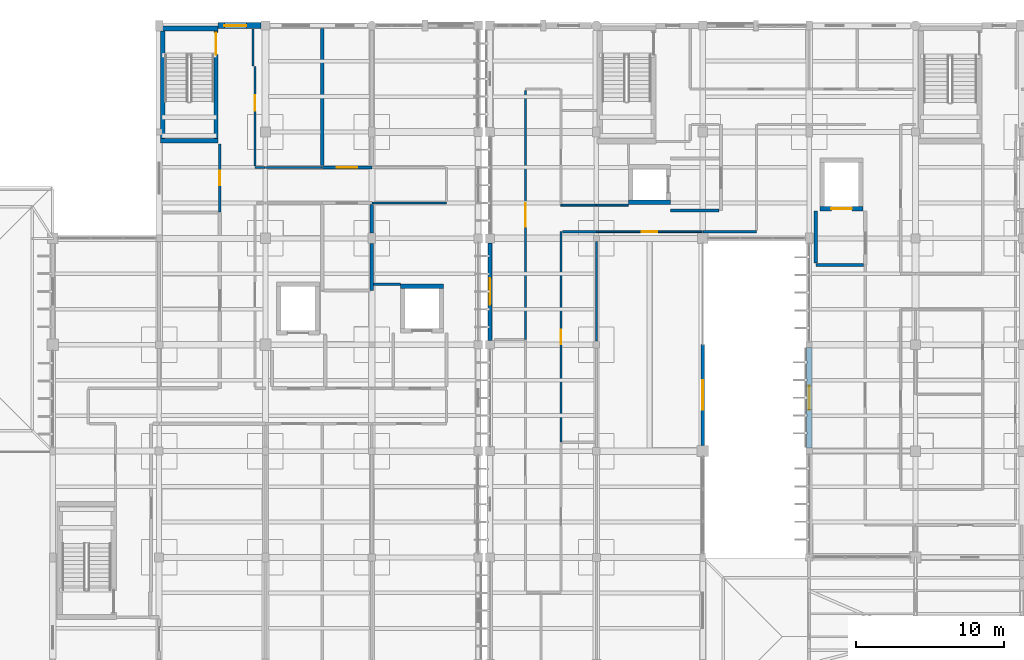
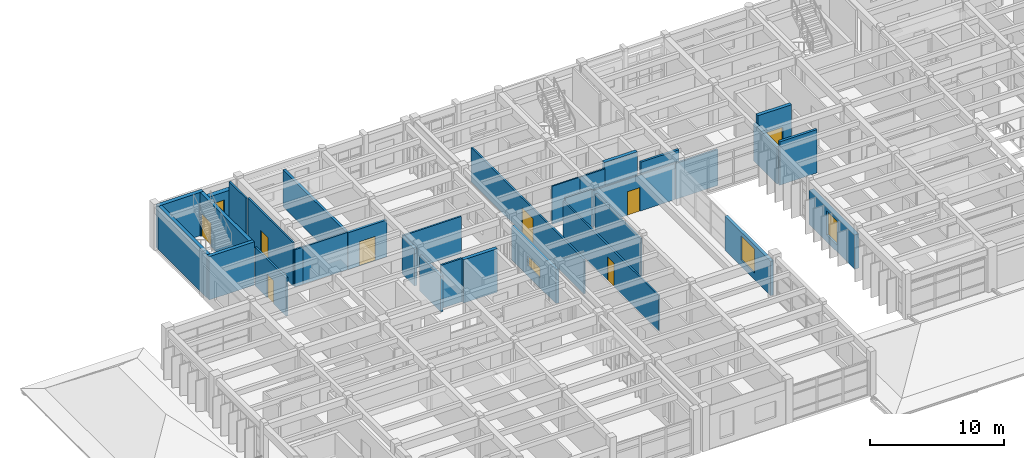
# One storey, part 74 of 100: 33 walls, 8 doors, 4 windows, 12 openings.
"""IFC4 building model written with IfcOpenShell, lengths in metres."""

import ifcopenshell
import ifcopenshell.guid

model = None  # the IFC model being written
_history = None  # IfcOwnerHistory: only IFC2X3 demands one
_inside = {}  # id of a spatial element -> (the spatial element, [elements in it])
_under = {}  # id of a project, library or spatial element -> (it, [spatial elements below it])
_declared = {}  # id of a project -> (the project, [libraries it declares])
_typed = {}  # id of a type object -> (the type object, [elements of that type])
_made_of = {}  # id of a material, layer set ... -> (it, [elements and type objects made of it])


def new_model(schema):
    """Start an empty IFC model of exactly this schema.

    Asked for "IFC4X3", IfcOpenShell would pick the latest addendum, in which some entities
    have other attributes; the version numbers below select the first issue.
    IFC2X3 requires an IfcOwnerHistory on every rooted entity: one is made here for all.
    """
    global model, _history
    if schema == "IFC4X3":
        model = ifcopenshell.file(schema_version=(4, 3, 0, 0))
    else:
        model = ifcopenshell.file(schema=schema)
    _inside.clear()
    _under.clear()
    _declared.clear()
    _typed.clear()
    _made_of.clear()
    _history = None
    if model.schema == "IFC2X3":
        org = make("IfcOrganization", Name="unknown")
        user = make(
            "IfcPersonAndOrganization",
            ThePerson=make("IfcPerson", FamilyName="unknown"),
            TheOrganization=org,
        )
        app = make(
            "IfcApplication",
            ApplicationDeveloper=org,
            Version="unknown",
            ApplicationFullName="unknown",
            ApplicationIdentifier="unknown",
        )
        _history = make(
            "IfcOwnerHistory",
            OwningUser=user,
            OwningApplication=app,
            ChangeAction="ADDED",
            CreationDate=0,
        )
    return model


def make(cls, **values):
    """One entity of the class cls with the attributes given. An attribute that is None is left unset."""
    return model.create_entity(
        cls, **{name: value for name, value in values.items() if value is not None}
    )


def rooted(cls, **values):
    """An entity with a GlobalId (a new one), such as an element, a storey or a relation."""
    return make(cls, GlobalId=ifcopenshell.guid.new(), OwnerHistory=_history, **values)


def si_unit(unit_type, name, prefix=None):
    """IfcSIUnit, for example si_unit("LENGTHUNIT", "METRE", prefix="MILLI")."""
    return make("IfcSIUnit", UnitType=unit_type, Prefix=prefix, Name=name)


def assignment(units):
    """IfcUnitAssignment: the units of a project."""
    return None if units is None else make("IfcUnitAssignment", Units=units)


def point(xyz):
    """IfcCartesianPoint."""
    return None if xyz is None else make("IfcCartesianPoint", Coordinates=xyz)


def direction(xyz):
    """IfcDirection."""
    return None if xyz is None else make("IfcDirection", DirectionRatios=xyz)


def frame(location, z_axis=None, x_axis=None):
    """IfcAxis2Placement3D, a coordinate frame: its origin and axes. An axis left out is left unset."""
    return make(
        "IfcAxis2Placement3D",
        Location=point(location),
        Axis=direction(z_axis),
        RefDirection=direction(x_axis),
    )


def frame_2d(location, x_axis=None):
    """IfcAxis2Placement2D, a coordinate frame in the plane: its origin and x axis."""
    return make(
        "IfcAxis2Placement2D", Location=point(location), RefDirection=direction(x_axis)
    )


def origin():
    """The frame at (0, 0, 0) with its axes left unset."""
    return frame((0.0, 0.0, 0.0))


def place(relative_to, where):
    """IfcLocalPlacement: puts the frame where relative to a parent placement (None: the world)."""
    return make(
        "IfcLocalPlacement", PlacementRelTo=relative_to, RelativePlacement=where
    )


def context(
    kind, dimensions, precision=None, world=None, true_north=None, identifier=None
):
    """IfcGeometricRepresentationContext, for example the 3D "Model" context."""
    return make(
        "IfcGeometricRepresentationContext",
        ContextIdentifier=identifier,
        ContextType=kind,
        CoordinateSpaceDimension=dimensions,
        Precision=precision,
        WorldCoordinateSystem=world,
        TrueNorth=true_north,
    )


def subcontext(parent, identifier, kind, view, scale=None):
    """IfcGeometricRepresentationSubContext, for example "Body" below "Model"."""
    return make(
        "IfcGeometricRepresentationSubContext",
        ContextIdentifier=identifier,
        ContextType=kind,
        ParentContext=parent,
        TargetScale=scale,
        TargetView=view,
    )


def project(units=None, contexts=None):
    """IfcProject with its units and contexts."""
    return rooted(
        "IfcProject",
        Name="project",
        RepresentationContexts=contexts,
        UnitsInContext=assignment(units),
    )


def spatial(cls, under=None, at=None, **own):
    """A site, building, storey or space (cls), placed at a placement, below another one or the project."""
    s = rooted(cls, ObjectPlacement=at, **own)
    if under is not None:
        _under.setdefault(under.id(), (under, []))[1].append(s)
    return s


def profile(cls, at=None, kind="AREA", **sizes):
    """A parametric profile (cls). Its sizes go by their IFC names, for example OverallWidth=200.0."""
    return make(cls, ProfileType=kind, Position=at, **sizes)


def rectangle(**sizes):
    """IfcRectangleProfileDef."""
    return profile("IfcRectangleProfileDef", **sizes)


def extrude(swept, where, along, depth):
    """IfcExtrudedAreaSolid: the profile swept, set in the frame where, extruded along a direction by depth."""
    return make(
        "IfcExtrudedAreaSolid",
        SweptArea=swept,
        Position=where,
        ExtrudedDirection=direction(along),
        Depth=depth,
    )


def shape(context_of_items, identifier, shape_type, items):
    """IfcShapeRepresentation: the items that make up one representation, for example the "Body"."""
    return make(
        "IfcShapeRepresentation",
        ContextOfItems=context_of_items,
        RepresentationIdentifier=identifier,
        RepresentationType=shape_type,
        Items=items,
    )


def material(Name=None, Category=None):
    """IfcMaterial."""
    return make("IfcMaterial", Name=Name, Category=Category)


def layer(
    of_material, thickness, ventilated=None, Name=None, Category=None, Priority=None
):
    """IfcMaterialLayer: one layer of a wall or slab, of a material (None: an air gap)."""
    return make(
        "IfcMaterialLayer",
        Material=of_material,
        LayerThickness=thickness,
        IsVentilated=ventilated,
        Name=Name,
        Category=Category,
        Priority=Priority,
    )


def layer_set(layers, Name=None):
    """IfcMaterialLayerSet."""
    return make("IfcMaterialLayerSet", MaterialLayers=layers, LayerSetName=Name)


def made_of(thing, what):
    """Note that an element or type object is made of a material, layer set ...; save() writes the relation."""
    if what is not None:
        _made_of.setdefault(what.id(), (what, []))[1].append(thing)
    return thing


def type_object(cls, material=None, **own):
    """A type object (cls), such as IfcWallType, which elements share."""
    return made_of(rooted(cls, **own), material)


def element(
    cls,
    number,
    at=None,
    inside=None,
    cuts=None,
    type_object=None,
    material=None,
    context=None,
    identifier="Body",
    shape_type=None,
    held_by="IfcProductDefinitionShape",
    body=None,
    shapes=None,
    **own,
):
    """One element of the class cls, such as IfcWall. Its Tag is "e" and its number.

    at: its placement. inside: the storey or other place that contains it. cuts: it is an
    opening in that element (IfcRelVoidsElement). A single representation is given by context,
    identifier, shape_type and body (its items); several are given by shapes. held_by: the class
    of the entity that holds the representations. save() writes the other relations.
    """
    e = rooted(cls, Tag="e%d" % number, ObjectPlacement=at, **own)
    if body is not None:
        shapes = [shape(context, identifier, shape_type, body)]
    if shapes is not None:
        e.Representation = make(held_by, Representations=shapes)
    if inside is not None:
        _inside.setdefault(inside.id(), (inside, []))[1].append(e)
    if cuts is not None:
        rooted(
            "IfcRelVoidsElement", RelatingBuildingElement=cuts, RelatedOpeningElement=e
        )
    if type_object is not None:
        _typed.setdefault(type_object.id(), (type_object, []))[1].append(e)
    return made_of(e, material)


def fill(opening, filler):
    """IfcRelFillsElement: the door or window that sits in an opening."""
    return rooted(
        "IfcRelFillsElement",
        RelatingOpeningElement=opening,
        RelatedBuildingElement=filler,
    )


def aggregate(whole, parts):
    """IfcRelAggregates: a whole, such as a stair, and the parts it consists of."""
    return rooted("IfcRelAggregates", RelatingObject=whole, RelatedObjects=parts)


def save(model, path):
    """Write the relations noted so far, then the file.

    IfcRelAggregates (storeys below a building ...), IfcRelContainedInSpatialStructure (elements
    in a storey), IfcRelDefinesByType, IfcRelAssociatesMaterial and IfcRelDeclares: one each for
    every whole, place, type object, material and project.
    """
    for whole, parts in _under.values():
        aggregate(whole, parts)
    for where, things in _inside.values():
        rooted(
            "IfcRelContainedInSpatialStructure",
            RelatedElements=things,
            RelatingStructure=where,
        )
    for kind, things in _typed.values():
        rooted("IfcRelDefinesByType", RelatedObjects=things, RelatingType=kind)
    for what, things in _made_of.values():
        rooted("IfcRelAssociatesMaterial", RelatedObjects=things, RelatingMaterial=what)
    for by, libraries in _declared.values():
        rooted("IfcRelDeclares", RelatingContext=by, RelatedDefinitions=libraries)
    model.write(path)


model = new_model("IFC4")

# Units and contexts
model_context = context("Model", 3, precision=1e-05, world=origin(), true_north=direction((0.0, 1.0)))
body_context = subcontext(model_context, "Body", "Model", "MODEL_VIEW")
ifc_project = project(units=[si_unit("LENGTHUNIT", "METRE"), si_unit("AREAUNIT", "SQUARE_METRE"), si_unit("VOLUMEUNIT", "CUBIC_METRE"), si_unit("PLANEANGLEUNIT", "RADIAN"), si_unit("MASSUNIT", "GRAM", prefix="KILO")], contexts=[model_context])

# Site, building, storey
site_placement = place(None, origin())
site = spatial("IfcSite", under=ifc_project, at=site_placement, CompositionType="ELEMENT")
building_placement = place(site_placement, origin())
building = spatial("IfcBuilding", under=site, at=building_placement, Name="Steenspoor Specialist Clinic", CompositionType="ELEMENT")
storey_placement = place(building_placement, frame((0.0, 0.0, 9.0)))
storey = spatial("IfcBuildingStorey", under=building, at=storey_placement, Name="L02", CompositionType="ELEMENT", Elevation=9.0)

# Wall, opening, window
ifc_material_1 = material(Name="Extruded clay brick masonry", Category="masonry")
ifc_layer_1 = layer(ifc_material_1, 0.3798828125)
ifc_layer_set_1 = layer_set([ifc_layer_1], Name="Extruded clay brick masonry")
wall_type_1 = type_object("IfcWallType", Name="W-BRICK-380", PredefinedType="USERDEFINED", material=ifc_layer_set_1)
wall_1_placement = place(storey_placement, frame((74.0, 79.77490234375, 0.0), z_axis=(0.0, 0.0, 1.0), x_axis=(0.0, 1.0, 0.0)))
wall_1 = element("IfcWall", 1, at=wall_1_placement, inside=storey, type_object=wall_type_1, Name="Exterior Brick Wall EW-V4-L02-0156", ObjectType="CAVITY VENEER", PredefinedType="USERDEFINED", context=body_context, shape_type="SweptSolid", body=[
    extrude(rectangle(XDim=6.775146484375, YDim=0.3798828125, at=frame_2d((3.3876953125, 0.0))), origin(), (0.0, 0.0, 1.0), 3.1298828125),
])
opening_1_placement = place(wall_1_placement, frame((2.58740234375, 0.0, 0.60009765625)))
opening_1 = element("IfcOpeningElement", 2, at=opening_1_placement, cuts=wall_1, Name="Opening WN-16", PredefinedType="OPENING", context=body_context, shape_type="SweptSolid", body=[
    extrude(rectangle(XDim=1.60009765625, YDim=2.199951171875, at=frame_2d((0.800048828125, 1.10009765625))), frame((0.0, 0.199951171875, 0.0), z_axis=(0.0, -1.0, 0.0), x_axis=(1.0, 0.0, 0.0)), (0.0, 0.0, 1.0), 0.39990234375),
])
ifc_material_2 = material(Name="Thermally broken aluminium and low-emissivity glass", Category="aluminium")
window_type_1 = type_object("IfcWindowType", Name="WN-EXT-160X220", PartitioningType="SINGLE_PANEL", PredefinedType="WINDOW", material=ifc_material_2)
window_1_placement = place(opening_1_placement, origin())
window_1 = element("IfcWindow", 3, at=window_1_placement, inside=storey, type_object=window_type_1, Name="Window 0182", OverallHeight=2.199951171875, OverallWidth=1.60009765625, PartitioningType="SINGLE_PANEL", PredefinedType="WINDOW", context=body_context, shape_type="SweptSolid", body=[
    extrude(rectangle(XDim=1.60009765625, YDim=2.199951171875, at=frame_2d((0.800048828125, 1.10009765625))), frame((0.0, 0.030029296875, 0.0), z_axis=(0.0, -1.0, 0.0), x_axis=(1.0, 0.0, 0.0)), (0.0, 0.0, 1.0), 0.06005859375),
])
fill(opening_1, window_1)

ifc_layer_2 = layer(ifc_material_1, 0.409912109375)
ifc_layer_set_2 = layer_set([ifc_layer_2], Name="Extruded clay brick masonry")
wall_type_2 = type_object("IfcWallType", Name="W-BRICK-410", PredefinedType="USERDEFINED", material=ifc_layer_set_2)
wall_2_placement = place(storey_placement, frame((34.0, 108.35009765625, 0.0), z_axis=(0.0, 0.0, 1.0), x_axis=(1.0, 0.0, 0.0)))
wall_2 = element("IfcWall", 4, at=wall_2_placement, inside=storey, type_object=wall_type_2, Name="Exterior Brick Wall EW-V5-L02-0271", ObjectType="CAVITY VENEER", PredefinedType="USERDEFINED", context=body_context, shape_type="SweptSolid", body=[
    extrude(rectangle(XDim=2.89990234375, YDim=0.409912109375, at=frame_2d((1.449951171875, 0.0))), origin(), (0.0, 0.0, 1.0), 3.1298828125),
])
opening_2_placement = place(wall_2_placement, frame((0.4150390625, 0.0, 0.89990234375)))
opening_2 = element("IfcOpeningElement", 5, at=opening_2_placement, cuts=wall_2, Name="Opening WN-12", PredefinedType="OPENING", context=body_context, shape_type="SweptSolid", body=[
    extrude(rectangle(XDim=1.5, YDim=1.5, at=frame_2d((0.75, 0.75))), frame((0.0, 0.21484375, 0.0), z_axis=(0.0, -1.0, 0.0), x_axis=(1.0, 0.0, 0.0)), (0.0, 0.0, 1.0), 0.429931640625),
])
window_type_2 = type_object("IfcWindowType", Name="WN-EXT-150X150", PartitioningType="SINGLE_PANEL", PredefinedType="WINDOW", material=ifc_material_2)
window_2_placement = place(opening_2_placement, origin())
window_2 = element("IfcWindow", 6, at=window_2_placement, inside=storey, type_object=window_type_2, Name="Window 0296", OverallHeight=1.5, OverallWidth=1.5, PartitioningType="SINGLE_PANEL", PredefinedType="WINDOW", context=body_context, shape_type="SweptSolid", body=[
    extrude(rectangle(XDim=1.5, YDim=1.5, at=frame_2d((0.75, 0.75))), frame((0.0, 0.030029296875, 0.0), z_axis=(0.0, -1.0, 0.0), x_axis=(1.0, 0.0, 0.0)), (0.0, 0.0, 1.0), 0.06005859375),
])
fill(opening_2, window_2)

# Walls
ifc_material_3 = material(Name="Gypsum acoustic clinical partition", Category="gypsum")
ifc_layer_3 = layer(ifc_material_3, 0.14990234375)
ifc_layer_set_3 = layer_set([ifc_layer_3], Name="Gypsum acoustic clinical partition")
wall_type_3 = type_object("IfcWallType", Name="W-CLIN-150", PredefinedType="PARTITIONING", material=ifc_layer_set_3)
wall_3_placement = place(storey_placement, frame((44.4150390625, 96.35009765625, 0.0), z_axis=(0.0, 0.0, 1.0), x_axis=(1.0, 0.0, 0.0)))
element("IfcWall", 7, at=wall_3_placement, inside=storey, type_object=wall_type_3, Name="Interior Partition IW-V5-L02-1297", PredefinedType="PARTITIONING", context=body_context, shape_type="SweptSolid", body=[
    extrude(rectangle(XDim=5.034912109375, YDim=0.14990234375, at=frame_2d((2.517578125, 0.0))), origin(), (0.0, 0.0, 1.0), 3.35498046875),
])
wall_4_placement = place(storey_placement, frame((66.800048828125, 94.39990234375, 0.0), z_axis=(0.0, 0.0, 1.0), x_axis=(1.0, 0.0, 0.0)))
element("IfcWall", 8, at=wall_4_placement, inside=storey, type_object=wall_type_3, Name="Interior Partition IW-V4-L02-1311", PredefinedType="PARTITIONING", context=body_context, shape_type="SweptSolid", body=[
    extrude(rectangle(XDim=3.6298828125, YDim=0.14990234375, at=frame_2d((1.81494140625, 0.0))), origin(), (0.0, 0.0, 1.0), 3.284912109375),
])

# Wall, opening, door
wall_5_placement = place(storey_placement, frame((57.199951171875, 80.159912109375, 0.0), z_axis=(0.0, 0.0, 1.0), x_axis=(0.0, 1.0, 0.0)))
wall_5 = element("IfcWall", 9, at=wall_5_placement, inside=storey, type_object=wall_type_3, Name="Interior Partition IW-V4-L02-1321", PredefinedType="PARTITIONING", context=body_context, shape_type="SweptSolid", body=[
    extrude(rectangle(XDim=14.239990234375, YDim=0.14990234375, at=frame_2d((7.1201171875, 0.0))), origin(), (0.0, 0.0, 1.0), 3.215087890625),
])
opening_3_placement = place(wall_5_placement, frame((6.6201171875, 0.0, 0.0)))
opening_3 = element("IfcOpeningElement", 10, at=opening_3_placement, cuts=wall_5, Name="Opening D0239", PredefinedType="OPENING", context=body_context, shape_type="SweptSolid", body=[
    extrude(rectangle(XDim=1.0, YDim=2.14990234375, at=frame_2d((0.5, 1.074951171875))), frame((0.0, 0.0849609375, 0.0), z_axis=(0.0, -1.0, 0.0), x_axis=(1.0, 0.0, 0.0)), (0.0, 0.0, 1.0), 0.169921875),
])
ifc_material_4 = material(Name="Moisture-resistant HPL accessible WC door", Category="wood")
door_type_1 = type_object("IfcDoorType", Name="DT-AWC-100X215", OperationType="NOTDEFINED", PredefinedType="DOOR", material=ifc_material_4)
door_1_placement = place(opening_3_placement, origin())
door_1 = element("IfcDoor", 11, at=door_1_placement, inside=storey, type_object=door_type_1, Name="Clinical Door D0239", OperationType="SINGLE_SWING_RIGHT", OverallHeight=2.14990234375, OverallWidth=1.0, PredefinedType="DOOR", context=body_context, shape_type="SweptSolid", body=[
    extrude(rectangle(XDim=1.0, YDim=2.14990234375, at=frame_2d((0.5, 1.074951171875))), frame((0.0, 0.02490234375, 0.0), z_axis=(0.0, -1.0, 0.0), x_axis=(1.0, 0.0, 0.0)), (0.0, 0.0, 1.0), 0.050048828125),
])
fill(opening_3, door_1)

# Wall
wall_6_placement = place(storey_placement, frame((57.2900390625, 94.39990234375, 0.0), z_axis=(0.0, 0.0, 1.0), x_axis=(1.0, 0.0, 0.0)))
element("IfcWall", 12, at=wall_6_placement, inside=storey, type_object=wall_type_3, Name="Interior Partition IW-V4-L02-1322", PredefinedType="PARTITIONING", context=body_context, shape_type="SweptSolid", body=[
    extrude(rectangle(XDim=2.31005859375, YDim=0.14990234375, at=frame_2d((1.155029296875, 0.0))), origin(), (0.0, 0.0, 1.0), 3.455078125),
])

# Wall, opening, door
wall_7_placement = place(storey_placement, frame((54.800048828125, 87.10009765625, 0.0), z_axis=(0.0, 0.0, 1.0), x_axis=(0.0, 1.0, 0.0)))
wall_7 = element("IfcWall", 13, at=wall_7_placement, inside=storey, type_object=wall_type_3, Name="Interior Partition IW-V4-L02-1326", PredefinedType="PARTITIONING", context=body_context, shape_type="SweptSolid", body=[
    extrude(rectangle(XDim=16.85986328125, YDim=0.14990234375, at=frame_2d((8.429931640625, 0.0))), origin(), (0.0, 0.0, 1.0), 3.135009765625),
])
opening_4_placement = place(wall_7_placement, frame((7.6298828125, 0.0, 0.0)))
opening_4 = element("IfcOpeningElement", 14, at=opening_4_placement, cuts=wall_7, Name="Opening D0241", PredefinedType="OPENING", context=body_context, shape_type="SweptSolid", body=[
    extrude(rectangle(XDim=1.60009765625, YDim=2.25, at=frame_2d((0.800048828125, 1.125))), frame((0.0, 0.0849609375, 0.0), z_axis=(0.0, -1.0, 0.0), x_axis=(1.0, 0.0, 0.0)), (0.0, 0.0, 1.0), 0.169921875),
])
ifc_material_5 = material(Name="Hygienic HPL clinical timber door", Category="wood")
door_type_2 = type_object("IfcDoorType", Name="DT-PROC-160X225", OperationType="NOTDEFINED", PredefinedType="DOOR", material=ifc_material_5)
door_2_placement = place(opening_4_placement, origin())
door_2 = element("IfcDoor", 15, at=door_2_placement, inside=storey, type_object=door_type_2, Name="Clinical Door D0241", OperationType="SINGLE_SWING_RIGHT", OverallHeight=2.25, OverallWidth=1.60009765625, PredefinedType="DOOR", context=body_context, shape_type="SweptSolid", body=[
    extrude(rectangle(XDim=1.60009765625, YDim=2.25, at=frame_2d((0.800048828125, 1.125))), frame((0.0, 0.02490234375, 0.0), z_axis=(0.0, -1.0, 0.0), x_axis=(1.0, 0.0, 0.0)), (0.0, 0.0, 1.0), 0.050048828125),
])
fill(opening_4, door_2)

# Walls
wall_8_placement = place(storey_placement, frame((36.35009765625, 105.60009765625, 0.0), z_axis=(0.0, 0.0, 1.0), x_axis=(0.0, 1.0, 0.0)))
element("IfcWall", 16, at=wall_8_placement, inside=storey, type_object=wall_type_3, Name="Interior Partition IW-V5-L02-1357", PredefinedType="PARTITIONING", context=body_context, shape_type="SweptSolid", body=[
    extrude(rectangle(XDim=2.52978515625, YDim=0.14990234375, at=frame_2d((1.264892578125, 0.0))), origin(), (0.0, 0.0, 1.0), 3.949951171875),
])
wall_9_placement = place(storey_placement, frame((37.199951171875, 98.75, 0.0), z_axis=(0.0, 0.0, 1.0), x_axis=(1.0, 0.0, 0.0)))
element("IfcWall", 17, at=wall_9_placement, inside=storey, type_object=wall_type_3, Name="Interior Partition IW-V5-L02-1358", PredefinedType="PARTITIONING", context=body_context, shape_type="SweptSolid", body=[
    extrude(rectangle(XDim=3.8349609375, YDim=0.14990234375, at=frame_2d((1.91748046875, 0.0))), origin(), (0.0, 0.0, 1.0), 3.385009765625),
])
wall_10_placement = place(storey_placement, frame((36.5, 98.75, 0.0), z_axis=(0.0, 0.0, 1.0), x_axis=(1.0, 0.0, 0.0)))
element("IfcWall", 18, at=wall_10_placement, inside=storey, type_object=wall_type_3, Name="Interior Partition IW-V5-L02-1359", PredefinedType="PARTITIONING", context=body_context, shape_type="SweptSolid", body=[
    extrude(rectangle(XDim=0.68505859375, YDim=0.14990234375, at=frame_2d((0.342529296875, 0.0))), origin(), (0.0, 0.0, 1.0), 3.385009765625),
])

# Wall, opening, door
wall_11_placement = place(storey_placement, frame((36.5, 98.840087890625, 0.0), z_axis=(0.0, 0.0, 1.0), x_axis=(0.0, 1.0, 0.0)))
wall_11 = element("IfcWall", 19, at=wall_11_placement, inside=storey, type_object=wall_type_3, Name="Interior Partition IW-V5-L02-1360", PredefinedType="PARTITIONING", context=body_context, shape_type="SweptSolid", body=[
    extrude(rectangle(XDim=6.744873046875, YDim=0.14990234375, at=frame_2d((3.37255859375, 0.0))), origin(), (0.0, 0.0, 1.0), 3.949951171875),
])
opening_5_placement = place(wall_11_placement, frame((3.7587890625, 0.0, 0.0)))
opening_5 = element("IfcOpeningElement", 20, at=opening_5_placement, cuts=wall_11, Name="Opening D0382", PredefinedType="OPENING", context=body_context, shape_type="SweptSolid", body=[
    extrude(rectangle(XDim=1.050048828125, YDim=2.14990234375, at=frame_2d((0.52490234375, 1.074951171875))), frame((0.0, 0.0849609375, 0.0), z_axis=(0.0, -1.0, 0.0), x_axis=(1.0, 0.0, 0.0)), (0.0, 0.0, 1.0), 0.169921875),
])
ifc_material_6 = material(Name="Solid-core hardwood office door", Category="wood")
door_type_3 = type_object("IfcDoorType", Name="DT-OFF-105X215", OperationType="NOTDEFINED", PredefinedType="DOOR", material=ifc_material_6)
door_3_placement = place(opening_5_placement, origin())
door_3 = element("IfcDoor", 21, at=door_3_placement, inside=storey, type_object=door_type_3, Name="Clinical Door D0382", OperationType="SINGLE_SWING_LEFT", OverallHeight=2.14990234375, OverallWidth=1.050048828125, PredefinedType="DOOR", context=body_context, shape_type="SweptSolid", body=[
    extrude(rectangle(XDim=1.050048828125, YDim=2.14990234375, at=frame_2d((0.52490234375, 1.074951171875))), frame((0.0, 0.02490234375, 0.0), z_axis=(0.0, -1.0, 0.0), x_axis=(1.0, 0.0, 0.0)), (0.0, 0.0, 1.0), 0.050048828125),
])
fill(opening_5, door_3)

# Walls
wall_12_placement = place(storey_placement, frame((44.52490234375, 90.85009765625, 0.0), z_axis=(0.0, 0.0, 1.0), x_axis=(1.0, 0.0, 0.0)))
element("IfcWall", 22, at=wall_12_placement, inside=storey, type_object=wall_type_3, Name="Interior Partition IW-V5-L02-1457", PredefinedType="PARTITIONING", context=body_context, shape_type="SweptSolid", body=[
    extrude(rectangle(XDim=1.81005859375, YDim=0.14990234375, at=frame_2d((0.905029296875, 0.0))), origin(), (0.0, 0.0, 1.0), 3.949951171875),
])
wall_13_placement = place(storey_placement, frame((59.60009765625, 86.989990234375, 0.0), z_axis=(0.0, 0.0, 1.0), x_axis=(0.0, 1.0, 0.0)))
element("IfcWall", 23, at=wall_13_placement, inside=storey, type_object=wall_type_3, Name="Interior Partition IW-V4-L02-1463", PredefinedType="PARTITIONING", context=body_context, shape_type="SweptSolid", body=[
    extrude(rectangle(XDim=6.7451171875, YDim=0.14990234375, at=frame_2d((3.37255859375, 0.0))), origin(), (0.0, 0.0, 1.0), 3.4150390625),
])
ifc_material_7 = material(Name="Concrete C40/50", Category="concrete")
ifc_layer_4 = layer(ifc_material_7, 0.330078125)
ifc_layer_set_4 = layer_set([ifc_layer_4], Name="Concrete C40/50")
wall_type_4 = type_object("IfcWallType", Name="W-ESW-330", PredefinedType="SHEAR", material=ifc_layer_set_4)
wall_14_placement = place(storey_placement, frame((30.10009765625, 108.14990234375, 0.0), z_axis=(0.0, 0.0, 1.0), x_axis=(1.0, 0.0, 0.0)))
element("IfcWall", 24, at=wall_14_placement, inside=storey, type_object=wall_type_4, Name="Core Shear Wall SW-ST-V5A-L02-N", PredefinedType="SHEAR", context=body_context, shape_type="SweptSolid", body=[
    extrude(rectangle(XDim=3.89990234375, YDim=0.330078125, at=frame_2d((1.949951171875, 0.0))), origin(), (0.0, 0.0, 1.0), 3.949951171875),
])
ifc_material_8 = material(Name="Fire-rated clay blockwork masonry", Category="masonry")
ifc_layer_5 = layer(ifc_material_8, 0.219970703125)
ifc_layer_set_5 = layer_set([ifc_layer_5], Name="Fire-rated clay blockwork masonry")
wall_type_5 = type_object("IfcWallType", Name="W-FIRE-220", PredefinedType="PARTITIONING", material=ifc_layer_set_5)
wall_15_placement = place(storey_placement, frame((74.449951171875, 92.14990234375, 0.0), z_axis=(0.0, 0.0, 1.0), x_axis=(1.0, 0.0, 0.0)))
element("IfcWall", 25, at=wall_15_placement, inside=storey, type_object=wall_type_5, Name="Interior Partition IW-V4-L02-1236", PredefinedType="PARTITIONING", context=body_context, shape_type="SweptSolid", body=[
    extrude(rectangle(XDim=3.22509765625, YDim=0.219970703125, at=frame_2d((1.612548828125, 0.0))), origin(), (0.0, 0.0, 1.0), 3.949951171875),
])
wall_16_placement = place(storey_placement, frame((74.449951171875, 92.27490234375, 0.0), z_axis=(0.0, 0.0, 1.0), x_axis=(0.0, 1.0, 0.0)))
element("IfcWall", 26, at=wall_16_placement, inside=storey, type_object=wall_type_5, Name="Interior Partition IW-V4-L02-1245", PredefinedType="PARTITIONING", context=body_context, shape_type="SweptSolid", body=[
    extrude(rectangle(XDim=3.525146484375, YDim=0.219970703125, at=frame_2d((1.7626953125, 0.0))), origin(), (0.0, 0.0, 1.0), 3.4150390625),
])

# Wall, opening, door
wall_17_placement = place(storey_placement, frame((41.050048828125, 98.75, 0.0), z_axis=(0.0, 0.0, 1.0), x_axis=(1.0, 0.0, 0.0)))
wall_17 = element("IfcWall", 27, at=wall_17_placement, inside=storey, type_object=wall_type_5, Name="Interior Partition IW-V5-L02-1269", PredefinedType="PARTITIONING", context=body_context, shape_type="SweptSolid", body=[
    extrude(rectangle(XDim=3.349853515625, YDim=0.219970703125, at=frame_2d((1.6748046875, 0.0))), origin(), (0.0, 0.0, 1.0), 3.35498046875),
])
opening_6_placement = place(wall_17_placement, frame((0.97509765625, 0.0, 0.0)))
opening_6 = element("IfcOpeningElement", 28, at=opening_6_placement, cuts=wall_17, Name="Opening D0383", PredefinedType="OPENING", context=body_context, shape_type="SweptSolid", body=[
    extrude(rectangle(XDim=1.39990234375, YDim=2.199951171875, at=frame_2d((0.699951171875, 1.10009765625))), frame((0.0, 0.1201171875, 0.0), z_axis=(0.0, -1.0, 0.0), x_axis=(1.0, 0.0, 0.0)), (0.0, 0.0, 1.0), 0.239990234375),
])
ifc_material_9 = material(Name="Fire-rated clinical laminate door", Category="steel")
door_type_4 = type_object("IfcDoorType", Name="DT-LAB-140X220", OperationType="NOTDEFINED", PredefinedType="DOOR", material=ifc_material_9)
door_4_placement = place(opening_6_placement, origin())
door_4 = element("IfcDoor", 29, at=door_4_placement, inside=storey, type_object=door_type_4, Name="Clinical Door D0383", OperationType="SINGLE_SWING_RIGHT", OverallHeight=2.199951171875, OverallWidth=1.39990234375, PredefinedType="DOOR", context=body_context, shape_type="SweptSolid", body=[
    extrude(rectangle(XDim=1.39990234375, YDim=2.199951171875, at=frame_2d((0.699951171875, 1.10009765625))), frame((0.0, 0.02490234375, 0.0), z_axis=(0.0, -1.0, 0.0), x_axis=(1.0, 0.0, 0.0)), (0.0, 0.0, 1.0), 0.050048828125),
])
fill(opening_6, door_4)

# Walls
wall_18_placement = place(storey_placement, frame((44.39990234375, 90.425048828125, 0.0), z_axis=(0.0, 0.0, 1.0), x_axis=(0.0, 1.0, 0.0)))
element("IfcWall", 30, at=wall_18_placement, inside=storey, type_object=wall_type_5, Name="Interior Partition IW-V5-L02-1426", PredefinedType="PARTITIONING", context=body_context, shape_type="SweptSolid", body=[
    extrude(rectangle(XDim=3.159912109375, YDim=0.219970703125, at=frame_2d((1.580078125, 0.0))), origin(), (0.0, 0.0, 1.0), 3.235107421875),
])
wall_19_placement = place(storey_placement, frame((44.39990234375, 94.31494140625, 0.0), z_axis=(0.0, 0.0, 1.0), x_axis=(0.0, 1.0, 0.0)))
element("IfcWall", 31, at=wall_19_placement, inside=storey, type_object=wall_type_5, Name="Interior Partition IW-V5-L02-1427", PredefinedType="PARTITIONING", context=body_context, shape_type="SweptSolid", body=[
    extrude(rectangle(XDim=1.91015625, YDim=0.219970703125, at=frame_2d((0.955078125, 0.0))), origin(), (0.0, 0.0, 1.0), 3.35498046875),
])
wall_20_placement = place(storey_placement, frame((41.050048828125, 98.875, 0.0), z_axis=(0.0, 0.0, 1.0), x_axis=(0.0, 1.0, 0.0)))
element("IfcWall", 32, at=wall_20_placement, inside=storey, type_object=wall_type_5, Name="Interior Partition IW-V5-L02-1433", PredefinedType="PARTITIONING", context=body_context, shape_type="SweptSolid", body=[
    extrude(rectangle(XDim=9.27001953125, YDim=0.219970703125, at=frame_2d((4.635009765625, 0.0))), origin(), (0.0, 0.0, 1.0), 3.385009765625),
])

# Wall, opening, door
ifc_material_10 = material(Name="Gypsum studio partition board", Category="gypsum")
ifc_layer_6 = layer(ifc_material_10, 0.1201171875)
ifc_layer_set_6 = layer_set([ifc_layer_6], Name="Gypsum studio partition board")
wall_type_6 = type_object("IfcWallType", Name="W-PART-120", PredefinedType="PARTITIONING", material=ifc_layer_set_6)
wall_21_placement = place(storey_placement, frame((59.614990234375, 94.39990234375, 0.0), z_axis=(0.0, 0.0, 1.0), x_axis=(1.0, 0.0, 0.0)))
wall_21 = element("IfcWall", 33, at=wall_21_placement, inside=storey, type_object=wall_type_6, Name="Interior Partition IW-V4-L02-1380", PredefinedType="PARTITIONING", context=body_context, shape_type="SweptSolid", body=[
    extrude(rectangle(XDim=7.14501953125, YDim=0.1201171875, at=frame_2d((3.572509765625, 0.0))), origin(), (0.0, 0.0, 1.0), 3.284912109375),
])
opening_7_placement = place(wall_21_placement, frame((3.047607421875, 0.0, 0.0)))
opening_7 = element("IfcOpeningElement", 34, at=opening_7_placement, cuts=wall_21, Name="Opening D0232", PredefinedType="OPENING", context=body_context, shape_type="SweptSolid", body=[
    extrude(rectangle(XDim=1.050048828125, YDim=2.14990234375, at=frame_2d((0.52490234375, 1.074951171875))), frame((0.0, 0.070068359375, 0.0), z_axis=(0.0, -1.0, 0.0), x_axis=(1.0, 0.0, 0.0)), (0.0, 0.0, 1.0), 0.14013671875),
])
door_5_placement = place(opening_7_placement, origin())
door_5 = element("IfcDoor", 35, at=door_5_placement, inside=storey, type_object=door_type_3, Name="Clinical Door D0232", OperationType="SINGLE_SWING_LEFT", OverallHeight=2.14990234375, OverallWidth=1.050048828125, PredefinedType="DOOR", context=body_context, shape_type="SweptSolid", body=[
    extrude(rectangle(XDim=1.050048828125, YDim=2.14990234375, at=frame_2d((0.52490234375, 1.074951171875))), frame((0.0, 0.02490234375, 0.0), z_axis=(0.0, -1.0, 0.0), x_axis=(1.0, 0.0, 0.0)), (0.0, 0.0, 1.0), 0.050048828125),
])
fill(opening_7, door_5)

# Walls
wall_22_placement = place(storey_placement, frame((59.60009765625, 96.199951171875, 0.0), z_axis=(0.0, 0.0, 1.0), x_axis=(1.0, 0.0, 0.0)))
element("IfcWall", 36, at=wall_22_placement, inside=storey, type_object=wall_type_6, Name="Interior Partition IW-V4-L02-1395", PredefinedType="PARTITIONING", context=body_context, shape_type="SweptSolid", body=[
    extrude(rectangle(XDim=2.159912109375, YDim=0.1201171875, at=frame_2d((1.080078125, 0.0))), origin(), (0.0, 0.0, 1.0), 3.455078125),
])
wall_23_placement = place(storey_placement, frame((57.199951171875, 96.199951171875, 0.0), z_axis=(0.0, 0.0, 1.0), x_axis=(1.0, 0.0, 0.0)))
element("IfcWall", 37, at=wall_23_placement, inside=storey, type_object=wall_type_6, Name="Interior Partition IW-V4-L02-1396", PredefinedType="PARTITIONING", context=body_context, shape_type="SweptSolid", body=[
    extrude(rectangle(XDim=2.385009765625, YDim=0.1201171875, at=frame_2d((1.1923828125, 0.0))), origin(), (0.0, 0.0, 1.0), 3.455078125),
])

# Wall, opening, door
ifc_material_11 = material(Name="Moisture-resistant gypsum plumbing wall", Category="gypsum")
ifc_layer_7 = layer(ifc_material_11, 0.179931640625)
ifc_layer_set_7 = layer_set([ifc_layer_7], Name="Moisture-resistant gypsum plumbing wall")
wall_type_7 = type_object("IfcWallType", Name="W-PLUMB-180", PredefinedType="PLUMBINGWALL", material=ifc_layer_set_7)
wall_24_placement = place(storey_placement, frame((34.10009765625, 95.719970703125, 0.0), z_axis=(0.0, 0.0, 1.0), x_axis=(0.0, 1.0, 0.0)))
wall_24 = element("IfcWall", 38, at=wall_24_placement, inside=storey, type_object=wall_type_7, Name="Interior Partition IW-V5-L02-1294", PredefinedType="PLUMBINGWALL", context=body_context, shape_type="SweptSolid", body=[
    extrude(rectangle(XDim=4.630126953125, YDim=0.179931640625, at=frame_2d((2.31494140625, 0.0))), origin(), (0.0, 0.0, 1.0), 3.47509765625),
])
opening_8_placement = place(wall_24_placement, frame((1.840087890625, 0.0, 0.0)))
opening_8 = element("IfcOpeningElement", 39, at=opening_8_placement, cuts=wall_24, Name="Opening D0381", PredefinedType="OPENING", context=body_context, shape_type="SweptSolid", body=[
    extrude(rectangle(XDim=0.949951171875, YDim=2.10009765625, at=frame_2d((0.47509765625, 1.050048828125))), frame((0.0, 0.10009765625, 0.0), z_axis=(0.0, -1.0, 0.0), x_axis=(1.0, 0.0, 0.0)), (0.0, 0.0, 1.0), 0.199951171875),
])
ifc_material_12 = material(Name="Moisture-resistant HPL sanitary door", Category="wood")
door_type_5 = type_object("IfcDoorType", Name="DT-WC-095X210", OperationType="NOTDEFINED", PredefinedType="DOOR", material=ifc_material_12)
door_6_placement = place(opening_8_placement, origin())
door_6 = element("IfcDoor", 40, at=door_6_placement, inside=storey, type_object=door_type_5, Name="Clinical Door D0381", OperationType="SINGLE_SWING_RIGHT", OverallHeight=2.10009765625, OverallWidth=0.949951171875, PredefinedType="DOOR", context=body_context, shape_type="SweptSolid", body=[
    extrude(rectangle(XDim=0.949951171875, YDim=2.10009765625, at=frame_2d((0.47509765625, 1.050048828125))), frame((0.0, 0.02490234375, 0.0), z_axis=(0.0, -1.0, 0.0), x_axis=(1.0, 0.0, 0.0)), (0.0, 0.0, 1.0), 0.050048828125),
])
fill(opening_8, door_6)

# Wall, opening, window
ifc_layer_8 = layer(ifc_material_1, 0.260009765625)
ifc_layer_set_8 = layer_set([ifc_layer_8], Name="Extruded clay brick masonry")
wall_type_8 = type_object("IfcWallType", Name="W-SCREEN-260", PredefinedType="SOLIDWALL", material=ifc_layer_set_8)
wall_25_placement = place(storey_placement, frame((66.800048828125, 86.762451171875, 0.0), z_axis=(0.0, 0.0, 1.0), x_axis=(0.0, -1.0, 0.0)))
wall_25 = element("IfcWall", 41, at=wall_25_placement, inside=storey, type_object=wall_type_8, Name="Exterior Brick Wall EW-V4-L02-0157", PredefinedType="SOLIDWALL", context=body_context, shape_type="SweptSolid", body=[
    extrude(rectangle(XDim=6.83740234375, YDim=0.260009765625, at=frame_2d((3.418701171875, 0.0))), origin(), (0.0, 0.0, 1.0), 3.1298828125),
])
opening_9_placement = place(wall_25_placement, frame((2.418701171875, 0.0, 0.60009765625)))
opening_9 = element("IfcOpeningElement", 42, at=opening_9_placement, cuts=wall_25, Name="Opening WN-17", PredefinedType="OPENING", context=body_context, shape_type="SweptSolid", body=[
    extrude(rectangle(XDim=2.0, YDim=2.199951171875, at=frame_2d((1.0, 1.10009765625))), frame((0.0, 0.14013671875, 0.0), z_axis=(0.0, -1.0, 0.0), x_axis=(1.0, 0.0, 0.0)), (0.0, 0.0, 1.0), 0.280029296875),
])
window_type_3 = type_object("IfcWindowType", Name="WN-EXT-200X220", PartitioningType="SINGLE_PANEL", PredefinedType="WINDOW", material=ifc_material_2)
window_3_placement = place(opening_9_placement, origin())
window_3 = element("IfcWindow", 43, at=window_3_placement, inside=storey, type_object=window_type_3, Name="Window 0183", OverallHeight=2.199951171875, OverallWidth=2.0, PartitioningType="SINGLE_PANEL", PredefinedType="WINDOW", context=body_context, shape_type="SweptSolid", body=[
    extrude(rectangle(XDim=2.0, YDim=2.199951171875, at=frame_2d((1.0, 1.10009765625))), frame((0.0, 0.030029296875, 0.0), z_axis=(0.0, -1.0, 0.0), x_axis=(1.0, 0.0, 0.0)), (0.0, 0.0, 1.0), 0.06005859375),
])
fill(opening_9, window_3)

wall_26_placement = place(storey_placement, frame((52.39990234375, 87.050048828125, 0.0), z_axis=(0.0, 0.0, 1.0), x_axis=(0.0, 1.0, 0.0)))
wall_26 = element("IfcWall", 44, at=wall_26_placement, inside=storey, type_object=wall_type_8, Name="Exterior Brick Wall EW-V4-L02-0161", PredefinedType="SOLIDWALL", context=body_context, shape_type="SweptSolid", body=[
    extrude(rectangle(XDim=6.599853515625, YDim=0.260009765625, at=frame_2d((3.2998046875, 0.0))), origin(), (0.0, 0.0, 1.0), 3.1298828125),
])
opening_10_placement = place(wall_26_placement, frame((2.39990234375, 0.0, 0.89990234375)))
opening_10 = element("IfcOpeningElement", 45, at=opening_10_placement, cuts=wall_26, Name="Opening WN-22", PredefinedType="OPENING", context=body_context, shape_type="SweptSolid", body=[
    extrude(rectangle(XDim=1.800048828125, YDim=0.89990234375, at=frame_2d((0.89990234375, 0.449951171875))), frame((0.0, 0.14013671875, 0.0), z_axis=(0.0, -1.0, 0.0), x_axis=(1.0, 0.0, 0.0)), (0.0, 0.0, 1.0), 0.280029296875),
])
window_type_4 = type_object("IfcWindowType", Name="WN-EXT-180X090", PartitioningType="SINGLE_PANEL", PredefinedType="WINDOW", material=ifc_material_2)
window_4_placement = place(opening_10_placement, origin())
window_4 = element("IfcWindow", 46, at=window_4_placement, inside=storey, type_object=window_type_4, Name="Window 0188", OverallHeight=0.89990234375, OverallWidth=1.800048828125, PartitioningType="SINGLE_PANEL", PredefinedType="WINDOW", context=body_context, shape_type="SweptSolid", body=[
    extrude(rectangle(XDim=1.800048828125, YDim=0.89990234375, at=frame_2d((0.89990234375, 0.449951171875))), frame((0.0, 0.030029296875, 0.0), z_axis=(0.0, -1.0, 0.0), x_axis=(1.0, 0.0, 0.0)), (0.0, 0.0, 1.0), 0.06005859375),
])
fill(opening_10, window_4)

# Walls
ifc_material_13 = material(Name="Gypsum acoustic smoke barrier board", Category="gypsum")
ifc_layer_9 = layer(ifc_material_13, 0.199951171875)
ifc_layer_set_9 = layer_set([ifc_layer_9], Name="Gypsum acoustic smoke barrier board")
wall_type_9 = type_object("IfcWallType", Name="W-SMOKE-200", PredefinedType="PARTITIONING", material=ifc_layer_set_9)
wall_27_placement = place(storey_placement, frame((64.625, 95.85009765625, 0.0), z_axis=(0.0, 0.0, 1.0), x_axis=(1.0, 0.0, 0.0)))
element("IfcWall", 47, at=wall_27_placement, inside=storey, type_object=wall_type_9, Name="Interior Partition IW-V4-L02-1240", PredefinedType="PARTITIONING", context=body_context, shape_type="SweptSolid", body=[
    extrude(rectangle(XDim=3.284912109375, YDim=0.199951171875, at=frame_2d((1.642578125, 0.0))), origin(), (0.0, 0.0, 1.0), 3.284912109375),
])
ifc_layer_10 = layer(ifc_material_7, 0.300048828125)
ifc_layer_set_10 = layer_set([ifc_layer_10], Name="Concrete C40/50")
wall_type_10 = type_object("IfcWallType", Name="W-SW-300", PredefinedType="SHEAR", material=ifc_layer_set_10)
wall_28_placement = place(storey_placement, frame((30.10009765625, 100.550048828125, 0.0), z_axis=(0.0, 0.0, 1.0), x_axis=(1.0, 0.0, 0.0)))
element("IfcWall", 48, at=wall_28_placement, inside=storey, type_object=wall_type_10, Name="Core Shear Wall SW-ST-V5A-L02-S", PredefinedType="SHEAR", context=body_context, shape_type="SweptSolid", body=[
    extrude(rectangle(XDim=3.89990234375, YDim=0.300048828125, at=frame_2d((1.949951171875, 0.0))), origin(), (0.0, 0.0, 1.0), 3.949951171875),
])
wall_29_placement = place(storey_placement, frame((30.25, 100.699951171875, 0.0), z_axis=(0.0, 0.0, 1.0), x_axis=(0.0, 1.0, 0.0)))
element("IfcWall", 49, at=wall_29_placement, inside=storey, type_object=wall_type_10, Name="Core Shear Wall SW-ST-V5A-L02-W", PredefinedType="SHEAR", context=body_context, shape_type="SweptSolid", body=[
    extrude(rectangle(XDim=7.300048828125, YDim=0.300048828125, at=frame_2d((3.64990234375, 0.0))), origin(), (0.0, 0.0, 1.0), 3.949951171875),
])

# Wall, opening, door
wall_30_placement = place(storey_placement, frame((33.85009765625, 100.699951171875, 0.0), z_axis=(0.0, 0.0, 1.0), x_axis=(0.0, 1.0, 0.0)))
wall_30 = element("IfcWall", 50, at=wall_30_placement, inside=storey, type_object=wall_type_10, Name="Core Shear Wall SW-ST-V5A-L02-E", PredefinedType="SHEAR", context=body_context, shape_type="SweptSolid", body=[
    extrude(rectangle(XDim=7.300048828125, YDim=0.300048828125, at=frame_2d((3.64990234375, 0.0))), origin(), (0.0, 0.0, 1.0), 3.949951171875),
])
opening_11_placement = place(wall_30_placement, frame((5.679931640625, 0.0, 0.0)))
opening_11 = element("IfcOpeningElement", 51, at=opening_11_placement, cuts=wall_30, Name="Opening SD029", PredefinedType="OPENING", context=body_context, shape_type="SweptSolid", body=[
    extrude(rectangle(XDim=1.5, YDim=2.14990234375, at=frame_2d((0.75, 1.074951171875))), frame((0.0, 0.16015625, 0.0), z_axis=(0.0, -1.0, 0.0), x_axis=(1.0, 0.0, 0.0)), (0.0, 0.0, 1.0), 0.320068359375),
])
ifc_material_14 = material(Name="Fire-rated steel acoustic door", Category="steel")
door_type_6 = type_object("IfcDoorType", Name="DT-STAIR-150X215", OperationType="NOTDEFINED", PredefinedType="DOOR", material=ifc_material_14)
door_7_placement = place(opening_11_placement, origin())
door_7 = element("IfcDoor", 52, at=door_7_placement, inside=storey, type_object=door_type_6, Name="Exit Stair Fire Door SD029", OperationType="SINGLE_SWING_RIGHT", OverallHeight=2.14990234375, OverallWidth=1.5, PredefinedType="DOOR", context=body_context, shape_type="SweptSolid", body=[
    extrude(rectangle(XDim=1.5, YDim=2.14990234375, at=frame_2d((0.75, 1.074951171875))), frame((0.0, 0.02490234375, 0.0), z_axis=(0.0, -1.0, 0.0), x_axis=(1.0, 0.0, 0.0)), (0.0, 0.0, 1.0), 0.050048828125),
])
fill(opening_11, door_7)

wall_31_placement = place(storey_placement, frame((74.75, 95.949951171875, 0.0), z_axis=(0.0, 0.0, 1.0), x_axis=(1.0, 0.0, 0.0)))
wall_31 = element("IfcWall", 53, at=wall_31_placement, inside=storey, type_object=wall_type_10, Name="Lift Shaft Shear Wall SW-EL-S1-L02-S", PredefinedType="SHEAR", context=body_context, shape_type="SweptSolid", body=[
    extrude(rectangle(XDim=2.89990234375, YDim=0.300048828125, at=frame_2d((1.449951171875, 0.0))), origin(), (0.0, 0.0, 1.0), 3.949951171875),
])
opening_12_placement = place(wall_31_placement, frame((0.75, 0.0, 0.0)))
opening_12 = element("IfcOpeningElement", 54, at=opening_12_placement, cuts=wall_31, Name="Opening LD03", PredefinedType="OPENING", context=body_context, shape_type="SweptSolid", body=[
    extrude(rectangle(XDim=1.39990234375, YDim=2.14990234375, at=frame_2d((0.699951171875, 1.074951171875))), frame((0.0, 0.16015625, 0.0), z_axis=(0.0, -1.0, 0.0), x_axis=(1.0, 0.0, 0.0)), (0.0, 0.0, 1.0), 0.320068359375),
])
ifc_material_15 = material(Name="Stainless steel lift landing door", Category="steel")
door_type_7 = type_object("IfcDoorType", Name="DT-LIFT-S-140", OperationType="NOTDEFINED", PredefinedType="DOOR", material=ifc_material_15)
door_8_placement = place(opening_12_placement, origin())
door_8 = element("IfcDoor", 55, at=door_8_placement, inside=storey, type_object=door_type_7, Name="Lift Landing Door LD03", OperationType="SLIDING_TO_LEFT", OverallHeight=2.14990234375, OverallWidth=1.39990234375, PredefinedType="DOOR", context=body_context, shape_type="SweptSolid", body=[
    extrude(rectangle(XDim=1.39990234375, YDim=2.14990234375, at=frame_2d((0.699951171875, 1.074951171875))), frame((0.0, 0.02490234375, 0.0), z_axis=(0.0, -1.0, 0.0), x_axis=(1.0, 0.0, 0.0)), (0.0, 0.0, 1.0), 0.050048828125),
])
fill(opening_12, door_8)

# Walls
wall_32_placement = place(storey_placement, frame((61.77490234375, 96.39990234375, 0.0), z_axis=(0.0, 0.0, 1.0), x_axis=(1.0, 0.0, 0.0)))
element("IfcWall", 56, at=wall_32_placement, inside=storey, type_object=wall_type_10, Name="Lift Shaft Shear Wall SW-EL-P2-L02-S", PredefinedType="SHEAR", context=body_context, shape_type="SweptSolid", body=[
    extrude(rectangle(XDim=2.85009765625, YDim=0.300048828125, at=frame_2d((1.425048828125, 0.0))), origin(), (0.0, 0.0, 1.0), 3.949951171875),
])
wall_33_placement = place(storey_placement, frame((46.35009765625, 90.699951171875, 0.0), z_axis=(0.0, 0.0, 1.0), x_axis=(1.0, 0.0, 0.0)))
element("IfcWall", 57, at=wall_33_placement, inside=storey, type_object=wall_type_10, Name="Lift Shaft Shear Wall SW-EL-G1-L02-N", PredefinedType="SHEAR", context=body_context, shape_type="SweptSolid", body=[
    extrude(rectangle(XDim=2.89990234375, YDim=0.300048828125, at=frame_2d((1.449951171875, 0.0))), origin(), (0.0, 0.0, 1.0), 3.949951171875),
])

save(model, "model.ifc")
